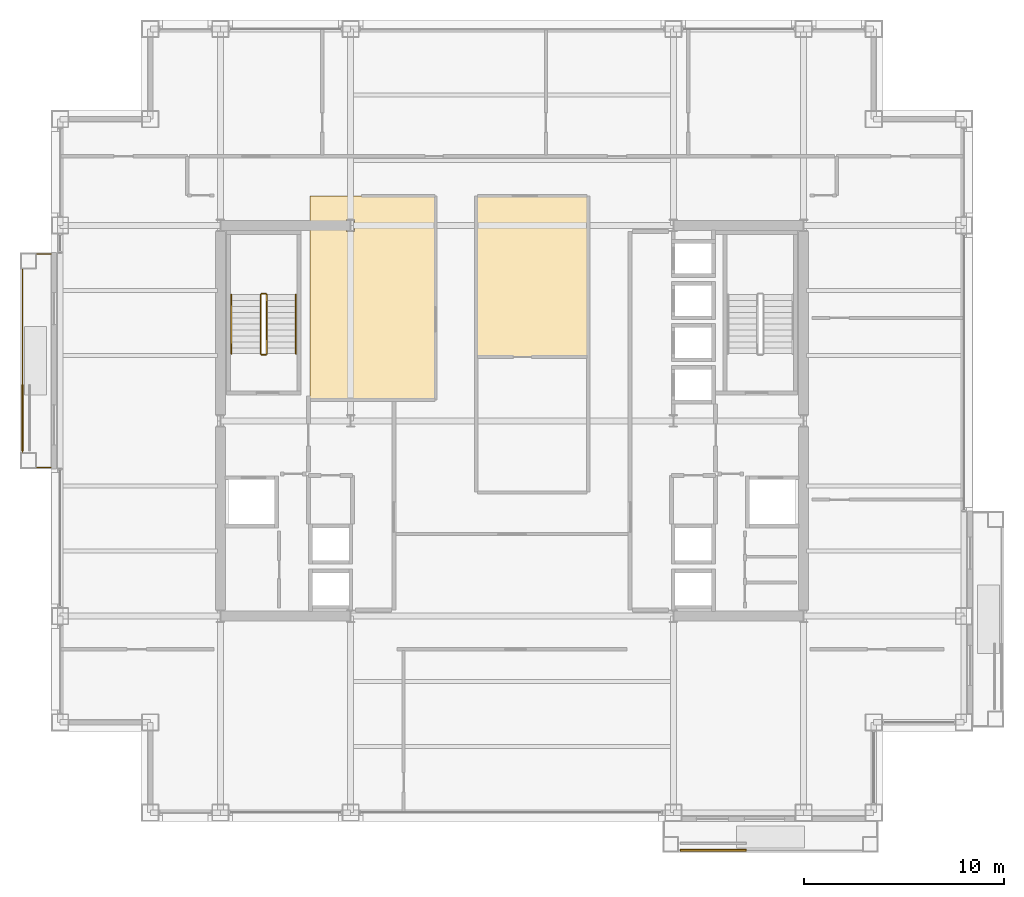
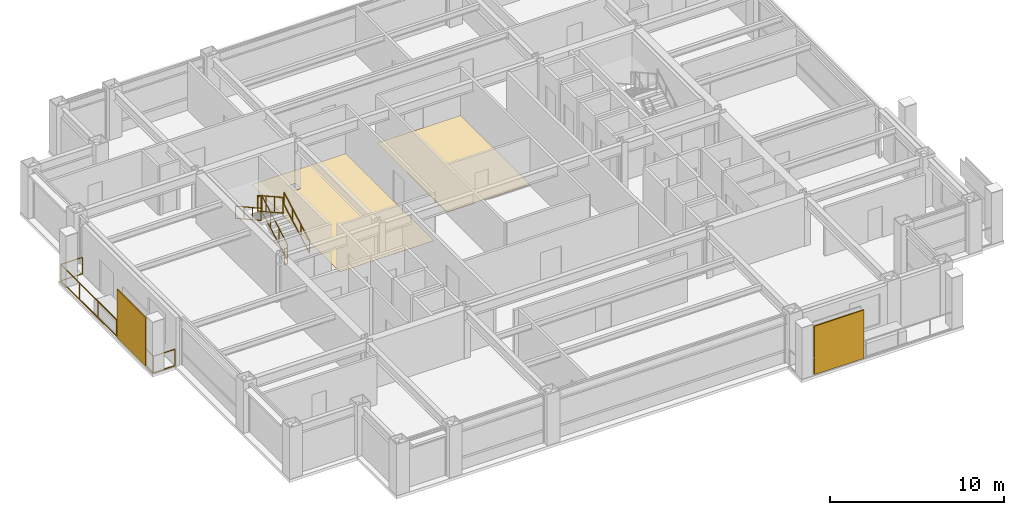
# One storey, part 29 of 31: 7 railings, 2 coverings, 2 shading devices.
"""IFC4 building model written with IfcOpenShell, lengths in metres."""

from ifc_helpers import new_model, si_unit, direction, frame, origin, origin_2d, place, context, subcontext, project, spatial, polyline, rectangle, outline, extrude, material, layer, layer_set, type_object, element, save


model = new_model("IFC4")

# Units and contexts
model_context = context("Model", 3, precision=1e-05, world=origin(), true_north=direction((0.0, 1.0)))
body_context = subcontext(model_context, "Body", "Model", "MODEL_VIEW")
ifc_project = project(units=[si_unit("LENGTHUNIT", "METRE"), si_unit("AREAUNIT", "SQUARE_METRE"), si_unit("VOLUMEUNIT", "CUBIC_METRE"), si_unit("PLANEANGLEUNIT", "RADIAN"), si_unit("MASSUNIT", "GRAM", prefix="KILO")], contexts=[model_context])

# Site, building, storey
site_placement = place(None, origin())
site = spatial("IfcSite", under=ifc_project, at=site_placement, CompositionType="ELEMENT")
building_placement = place(site_placement, origin())
building = spatial("IfcBuilding", under=site, at=building_placement, Name="Brelmoor Portico Tower", CompositionType="ELEMENT")
storey_placement = place(building_placement, frame((0.0, 0.0, 106.199951171875)))
storey = spatial("IfcBuildingStorey", under=building, at=storey_placement, Name="L27", CompositionType="ELEMENT", Elevation=106.199951171875)

# Coverings
ifc_material_1 = material(Name="Solution-Dyed Nylon Acoustic Carpet Tile", Category="textile")
ifc_layer_1 = layer(ifc_material_1, 0.013916015625)
ifc_layer_set_1 = layer_set([ifc_layer_1], Name="Solution-Dyed Nylon Acoustic Carpet Tile")
covering_type_1 = type_object("IfcCoveringType", Name="CV-FLR-CARPET-14", PredefinedType="FLOORING", material=ifc_layer_set_1)
covering_1_placement = place(storey_placement, origin())
element("IfcCovering", 1, at=covering_1_placement, inside=storey, type_object=covering_type_1, Name="L27 Architectural Floor Finish 01", PredefinedType="FLOORING", context=body_context, shape_type="SweptSolid", body=[
    extrude(outline(polyline([(-10.080078125, 11.2099609375), (-3.840087890625, 11.2099609375), (-3.840087890625, 1.090087890625), (-10.080078125, 1.090087890625), (-10.080078125, 11.2099609375)]), holes=[polyline([(-7.85009765625, 9.449951171875), (-7.85009765625, 10.050048828125), (-8.25, 10.050048828125), (-8.25, 9.449951171875), (-7.85009765625, 9.449951171875)])]), origin(), (0.0, 0.0, 1.0), 0.01416015625),
])
ifc_material_2 = material(Name="Rectified Vitrified Porcelain Floor Tile", Category="ceramic")
ifc_layer_2 = layer(ifc_material_2, 0.01806640625)
ifc_layer_set_2 = layer_set([ifc_layer_2], Name="Rectified Vitrified Porcelain Floor Tile")
covering_type_2 = type_object("IfcCoveringType", Name="CV-FLR-PORCELAIN-18", PredefinedType="FLOORING", material=ifc_layer_set_2)
covering_2_placement = place(storey_placement, origin())
element("IfcCovering", 2, at=covering_2_placement, inside=storey, type_object=covering_type_2, Name="L27 Architectural Floor Finish 02", PredefinedType="FLOORING", context=body_context, shape_type="SweptSolid", body=[
    extrude(outline(polyline([(-1.760009765625, 3.219970703125), (-1.760009765625, 11.2099609375), (3.780029296875, 11.2099609375), (3.780029296875, 3.219970703125), (-1.760009765625, 3.219970703125)])), origin(), (0.0, 0.0, 1.0), 0.01806640625),
])

# Railings
ifc_material_3 = material(Name="Perforated Pale Champagne Aluminium Fretwork Guard", Category="aluminium")
railing_type_1 = type_object("IfcRailingType", Name="RL-BALUSTRADE-1200", PredefinedType="BALUSTRADE", material=ifc_material_3)
railing_1_placement = place(storey_placement, frame((-23.0, -2.320068359375, 0.0)))
element("IfcRailing", 3, at=railing_1_placement, inside=storey, type_object=railing_type_1, Name="L27 Tree Balcony Fretwork Balustrade W", PredefinedType="BALUSTRADE", context=body_context, shape_type="SweptSolid", body=[
    extrude(rectangle(XDim=0.048095703125, YDim=0.048095703125, at=origin_2d()), frame((0.0, 0.0, 1.17578125), z_axis=(-1.0, 0.0, 0.0), x_axis=(0.0, -1.0, 0.0)), (0.0, 0.0, 1.0), 1.429931640625),
    extrude(rectangle(XDim=0.048095703125, YDim=0.048095703125, at=origin_2d()), frame((0.0, 0.0, 0.02392578125), z_axis=(-1.0, 0.0, 0.0), x_axis=(0.0, -1.0, 0.0)), (0.0, 0.0, 1.0), 1.429931640625),
    extrude(rectangle(XDim=0.048095703125, YDim=0.048095703125, at=origin_2d()), frame((-1.429931640625, 0.0, 1.17578125), z_axis=(0.0, 1.0, 0.0), x_axis=(-1.0, 0.0, 0.0)), (0.0, 0.0, 1.0), 10.64013671875),
    extrude(rectangle(XDim=0.048095703125, YDim=0.048095703125, at=origin_2d()), frame((-1.429931640625, 0.0, 0.02392578125), z_axis=(0.0, 1.0, 0.0), x_axis=(-1.0, 0.0, 0.0)), (0.0, 0.0, 1.0), 10.64013671875),
    extrude(rectangle(XDim=0.048095703125, YDim=0.048095703125, at=origin_2d()), frame((-1.429931640625, 10.64013671875, 1.17578125), z_axis=(1.0, 0.0, 0.0), x_axis=(0.0, 1.0, 0.0)), (0.0, 0.0, 1.0), 1.429931640625),
    extrude(rectangle(XDim=0.048095703125, YDim=0.048095703125, at=origin_2d()), frame((-1.429931640625, 10.64013671875, 0.02392578125), z_axis=(1.0, 0.0, 0.0), x_axis=(0.0, 1.0, 0.0)), (0.0, 0.0, 1.0), 1.429931640625),
    extrude(rectangle(XDim=0.0419921875, YDim=0.0419921875, at=origin_2d()), origin(), (0.0, 0.0, 1.0), 1.15185546875),
    extrude(rectangle(XDim=0.0419921875, YDim=0.0419921875, at=origin_2d()), frame((-1.429931640625, 0.0, 0.0)), (0.0, 0.0, 1.0), 1.15185546875),
    extrude(rectangle(XDim=0.0419921875, YDim=0.0419921875, at=origin_2d()), frame((-1.429931640625, 2.1279296875, 0.0)), (0.0, 0.0, 1.0), 1.15185546875),
    extrude(rectangle(XDim=0.0419921875, YDim=0.0419921875, at=origin_2d()), frame((-1.429931640625, 4.256103515625, 0.0)), (0.0, 0.0, 1.0), 1.15185546875),
    extrude(rectangle(XDim=0.0419921875, YDim=0.0419921875, at=origin_2d()), frame((-1.429931640625, 6.384033203125, 0.0)), (0.0, 0.0, 1.0), 1.15185546875),
    extrude(rectangle(XDim=0.0419921875, YDim=0.0419921875, at=origin_2d()), frame((-1.429931640625, 8.51220703125, 0.0)), (0.0, 0.0, 1.0), 1.15185546875),
    extrude(rectangle(XDim=0.0419921875, YDim=0.0419921875, at=origin_2d()), frame((-1.429931640625, 10.64013671875, 0.0)), (0.0, 0.0, 1.0), 1.15185546875),
    extrude(rectangle(XDim=0.0419921875, YDim=0.0419921875, at=origin_2d()), frame((0.0, 10.64013671875, 0.0)), (0.0, 0.0, 1.0), 1.15185546875),
])
ifc_material_4 = material(Name="Painted Tubular Steel Q235B", Category="steel")
railing_type_2 = type_object("IfcRailingType", Name="RL-STAIR-GUARD", PredefinedType="GUARDRAIL", material=ifc_material_4)
railing_2_placement = place(storey_placement, frame((-12.239990234375, 3.35009765625, 0.16357421875)))
element("IfcRailing", 4, at=railing_2_placement, inside=storey, type_object=railing_type_2, Name="L27 ST-W stair guard 1", PredefinedType="GUARDRAIL", context=body_context, shape_type="SweptSolid", body=[
    extrude(rectangle(XDim=0.048095703125, YDim=0.048095703125, at=origin_2d()), frame((0.0, 0.0, 1.1259765625), z_axis=(0.0, 0.874457516365, 0.485102104791), x_axis=(-1.0, 0.0, 0.0)), (0.0, 0.0, 1.0), 3.37353515625),
    extrude(rectangle(XDim=0.048095703125, YDim=0.048095703125, at=origin_2d()), frame((0.0, 0.0, 0.02392578125), z_axis=(0.0, 0.874457516365, 0.485102104791), x_axis=(-1.0, 0.0, 0.0)), (0.0, 0.0, 1.0), 3.37353515625),
    extrude(rectangle(XDim=0.0419921875, YDim=0.0419921875, at=origin_2d()), origin(), (0.0, 0.0, 1.0), 1.101806640625),
    extrude(rectangle(XDim=0.0419921875, YDim=0.0419921875, at=origin_2d()), frame((0.0, 0.9833984375, 0.54541015625)), (0.0, 0.0, 1.0), 1.101806640625),
    extrude(rectangle(XDim=0.0419921875, YDim=0.0419921875, at=origin_2d()), frame((0.0, 1.966552734375, 1.091064453125)), (0.0, 0.0, 1.0), 1.101806640625),
    extrude(rectangle(XDim=0.0419921875, YDim=0.0419921875, at=origin_2d()), frame((0.0, 2.949951171875, 1.636474609375)), (0.0, 0.0, 1.0), 1.101806640625),
])
railing_3_placement = place(storey_placement, frame((-12.2900390625, 6.35009765625, 1.800048828125)))
element("IfcRailing", 5, at=railing_3_placement, inside=storey, type_object=railing_type_2, Name="L27 ST-W stair guard 2", PredefinedType="GUARDRAIL", context=body_context, shape_type="SweptSolid", body=[
    extrude(rectangle(XDim=0.048095703125, YDim=0.048095703125, at=origin_2d()), frame((0.0, 0.0, 1.1259765625), z_axis=(-1.0, 0.0, 0.0), x_axis=(0.0, -1.0, 0.0)), (0.0, 0.0, 1.0), 0.199951171875),
    extrude(rectangle(XDim=0.048095703125, YDim=0.048095703125, at=origin_2d()), frame((0.0, 0.0, 0.02392578125), z_axis=(-1.0, 0.0, 0.0), x_axis=(0.0, -1.0, 0.0)), (0.0, 0.0, 1.0), 0.199951171875),
    extrude(rectangle(XDim=0.0419921875, YDim=0.0419921875, at=origin_2d()), origin(), (0.0, 0.0, 1.0), 1.101806640625),
    extrude(rectangle(XDim=0.0419921875, YDim=0.0419921875, at=origin_2d()), frame((-0.199951171875, 0.0, 0.0)), (0.0, 0.0, 1.0), 1.101806640625),
])
railing_4_placement = place(storey_placement, frame((-12.5400390625, 6.300048828125, 1.963623046875)))
element("IfcRailing", 6, at=railing_4_placement, inside=storey, type_object=railing_type_2, Name="L27 ST-W stair guard 3", PredefinedType="GUARDRAIL", context=body_context, shape_type="SweptSolid", body=[
    extrude(rectangle(XDim=0.048095703125, YDim=0.048095703125, at=origin_2d()), frame((0.0, 0.0, 1.1259765625), z_axis=(0.0, -0.874457516365, 0.485102104791), x_axis=(1.0, 0.0, 0.0)), (0.0, 0.0, 1.0), 3.37353515625),
    extrude(rectangle(XDim=0.048095703125, YDim=0.048095703125, at=origin_2d()), frame((0.0, 0.0, 0.02392578125), z_axis=(0.0, -0.874457516365, 0.485102104791), x_axis=(1.0, 0.0, 0.0)), (0.0, 0.0, 1.0), 3.37353515625),
    extrude(rectangle(XDim=0.0419921875, YDim=0.0419921875, at=origin_2d()), origin(), (0.0, 0.0, 1.0), 1.101806640625),
    extrude(rectangle(XDim=0.0419921875, YDim=0.0419921875, at=origin_2d()), frame((0.0, -0.9833984375, 0.54541015625)), (0.0, 0.0, 1.0), 1.101806640625),
    extrude(rectangle(XDim=0.0419921875, YDim=0.0419921875, at=origin_2d()), frame((0.0, -1.966552734375, 1.091064453125)), (0.0, 0.0, 1.0), 1.101806640625),
    extrude(rectangle(XDim=0.0419921875, YDim=0.0419921875, at=origin_2d()), frame((0.0, -2.949951171875, 1.636474609375)), (0.0, 0.0, 1.0), 1.101806640625),
])
railing_5_placement = place(storey_placement, frame((-12.2900390625, 3.300048828125, 0.0)))
element("IfcRailing", 7, at=railing_5_placement, inside=storey, type_object=railing_type_2, Name="L27 ST-W stair guard 4", PredefinedType="GUARDRAIL", context=body_context, shape_type="SweptSolid", body=[
    extrude(rectangle(XDim=0.048095703125, YDim=0.048095703125, at=origin_2d()), frame((0.0, 0.0, 1.1259765625), z_axis=(-1.0, 0.0, 0.0), x_axis=(0.0, -1.0, 0.0)), (0.0, 0.0, 1.0), 0.199951171875),
    extrude(rectangle(XDim=0.048095703125, YDim=0.048095703125, at=origin_2d()), frame((0.0, 0.0, 0.02392578125), z_axis=(-1.0, 0.0, 0.0), x_axis=(0.0, -1.0, 0.0)), (0.0, 0.0, 1.0), 0.199951171875),
    extrude(rectangle(XDim=0.0419921875, YDim=0.0419921875, at=origin_2d()), origin(), (0.0, 0.0, 1.0), 1.101806640625),
    extrude(rectangle(XDim=0.0419921875, YDim=0.0419921875, at=origin_2d()), frame((-0.199951171875, 0.0, 0.0)), (0.0, 0.0, 1.0), 1.101806640625),
])
ifc_material_5 = material(Name="Brushed Stainless Steel 304", Category="steel")
railing_type_3 = type_object("IfcRailingType", Name="RL-STAIR-HANDRAIL", PredefinedType="HANDRAIL", material=ifc_material_5)
railing_6_placement = place(storey_placement, frame((-10.780029296875, 3.35009765625, 0.16357421875)))
element("IfcRailing", 8, at=railing_6_placement, inside=storey, type_object=railing_type_3, Name="L27 ST-W stair handrail 1", PredefinedType="HANDRAIL", context=body_context, shape_type="SweptSolid", body=[
    extrude(rectangle(XDim=0.048095703125, YDim=0.048095703125, at=origin_2d()), frame((0.0, 0.0, 0.8759765625), z_axis=(0.0, 0.874457516365, 0.485102104791), x_axis=(-1.0, 0.0, 0.0)), (0.0, 0.0, 1.0), 3.37353515625),
    extrude(rectangle(XDim=0.048095703125, YDim=0.048095703125, at=origin_2d()), frame((0.0, 0.0, 0.02392578125), z_axis=(0.0, 0.874457516365, 0.485102104791), x_axis=(-1.0, 0.0, 0.0)), (0.0, 0.0, 1.0), 3.37353515625),
    extrude(rectangle(XDim=0.0419921875, YDim=0.0419921875, at=origin_2d()), origin(), (0.0, 0.0, 1.0), 0.851806640625),
    extrude(rectangle(XDim=0.0419921875, YDim=0.0419921875, at=origin_2d()), frame((0.0, 0.9833984375, 0.54541015625)), (0.0, 0.0, 1.0), 0.851806640625),
    extrude(rectangle(XDim=0.0419921875, YDim=0.0419921875, at=origin_2d()), frame((0.0, 1.966552734375, 1.091064453125)), (0.0, 0.0, 1.0), 0.851806640625),
    extrude(rectangle(XDim=0.0419921875, YDim=0.0419921875, at=origin_2d()), frame((0.0, 2.949951171875, 1.636474609375)), (0.0, 0.0, 1.0), 0.851806640625),
])
railing_7_placement = place(storey_placement, frame((-14.0, 6.300048828125, 1.963623046875)))
element("IfcRailing", 9, at=railing_7_placement, inside=storey, type_object=railing_type_3, Name="L27 ST-W stair handrail 2", PredefinedType="HANDRAIL", context=body_context, shape_type="SweptSolid", body=[
    extrude(rectangle(XDim=0.048095703125, YDim=0.048095703125, at=origin_2d()), frame((0.0, 0.0, 0.8759765625), z_axis=(0.0, -0.874457516365, 0.485102104791), x_axis=(1.0, 0.0, 0.0)), (0.0, 0.0, 1.0), 3.37353515625),
    extrude(rectangle(XDim=0.048095703125, YDim=0.048095703125, at=origin_2d()), frame((0.0, 0.0, 0.02392578125), z_axis=(0.0, -0.874457516365, 0.485102104791), x_axis=(1.0, 0.0, 0.0)), (0.0, 0.0, 1.0), 3.37353515625),
    extrude(rectangle(XDim=0.0419921875, YDim=0.0419921875, at=origin_2d()), origin(), (0.0, 0.0, 1.0), 0.851806640625),
    extrude(rectangle(XDim=0.0419921875, YDim=0.0419921875, at=origin_2d()), frame((0.0, -0.9833984375, 0.54541015625)), (0.0, 0.0, 1.0), 0.851806640625),
    extrude(rectangle(XDim=0.0419921875, YDim=0.0419921875, at=origin_2d()), frame((0.0, -1.966552734375, 1.091064453125)), (0.0, 0.0, 1.0), 0.851806640625),
    extrude(rectangle(XDim=0.0419921875, YDim=0.0419921875, at=origin_2d()), frame((0.0, -2.949951171875, 1.636474609375)), (0.0, 0.0, 1.0), 0.851806640625),
])

# Shading devices
ifc_material_6 = material(Name="Powder-Coated Aluminium Shuttered Jalousie", Category="aluminium")
ifc_layer_3 = layer(ifc_material_6, 0.080078125)
ifc_layer_set_3 = layer_set([ifc_layer_3], Name="Powder-Coated Aluminium Shuttered Jalousie")
shading_device_type = type_object("IfcShadingDeviceType", Name="SD-JALOUSIE-LOGGIA", PredefinedType="JALOUSIE", material=ifc_layer_set_3)
for number, where, z_axis, x_axis, name in (
    (10, (10.050048828125, -21.429931640625, 0.0), (0.0, 0.0, 1.0), (1.0, 0.0, 0.0), "L27 Loggia Shuttered Jalousie S"),
    (11, (-24.429931640625, 0.14990234375, 0.0), (0.0, 0.0, 1.0), (0.0, 1.0, 0.0), "L27 Loggia Shuttered Jalousie W"),
):
    element("IfcShadingDevice", number, at=place(storey_placement, frame(where, z_axis=z_axis, x_axis=x_axis)), inside=storey, type_object=shading_device_type, Name=name, PredefinedType="JALOUSIE", context=body_context, shape_type="SweptSolid", body=[
        extrude(rectangle(XDim=3.300048828125, YDim=0.080078125, at=origin_2d()), origin(), (0.0, 0.0, 1.0), 3.39990234375),
    ])

save(model, "model.ifc")
